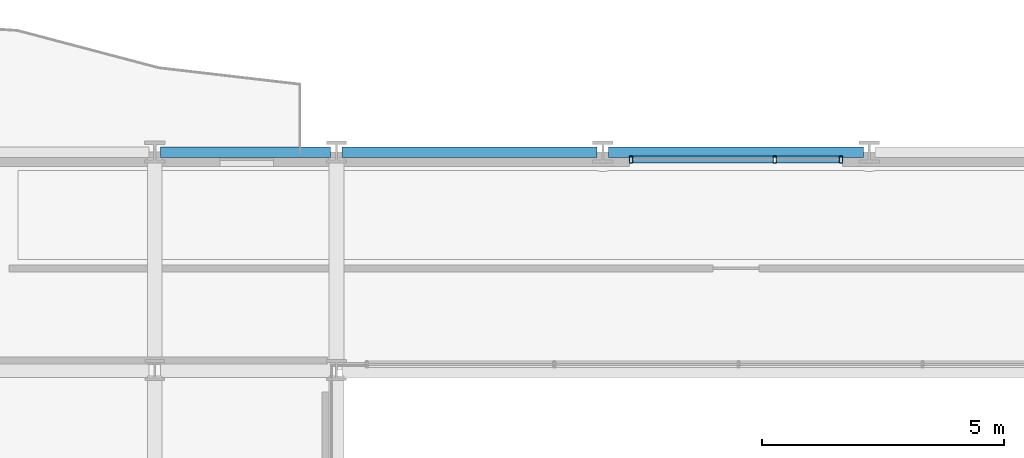
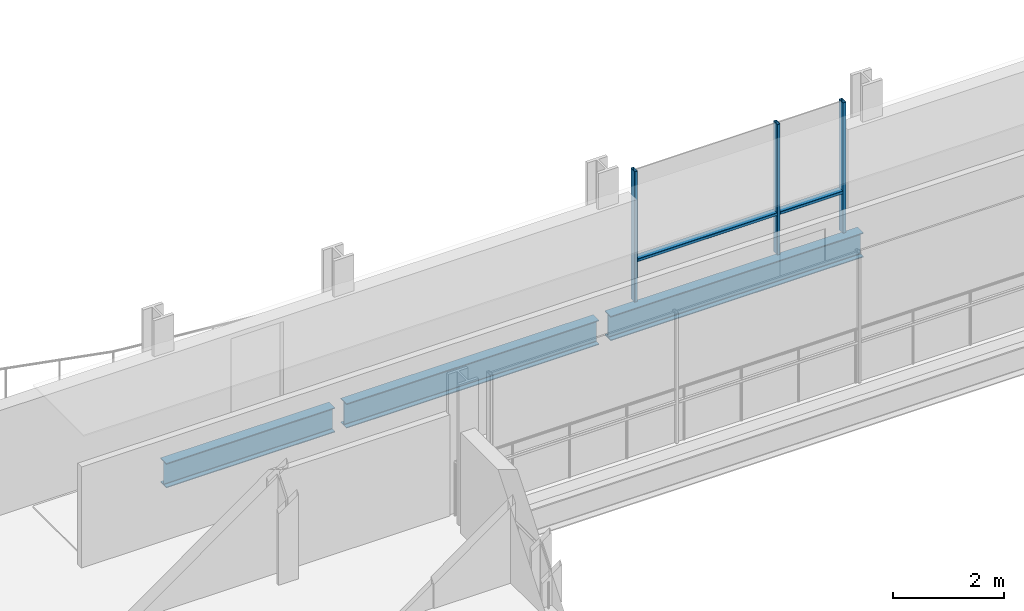
# One storey, part 22 of 40: 5 members, 3 beams, 1 element without a shape of its own.
"""IFC4 building model written with IfcOpenShell, lengths in metres."""

from ifc_helpers import new_model, si_unit, direction, frame, origin, origin_2d, place, context, subcontext, project, spatial, hollow_rectangle, i_section, extrude, material, layer, layer_set, material_profile, profile_set, type_object, element, aggregate, save


model = new_model("IFC4")

# Units and contexts
model_context = context("Model", 3, precision=1e-05, world=origin(), true_north=direction((0.0, 1.0)))
body_context = subcontext(model_context, "Body", "Model", "MODEL_VIEW")
ifc_project = project(units=[si_unit("LENGTHUNIT", "METRE"), si_unit("AREAUNIT", "SQUARE_METRE"), si_unit("VOLUMEUNIT", "CUBIC_METRE"), si_unit("PLANEANGLEUNIT", "RADIAN"), si_unit("MASSUNIT", "GRAM", prefix="KILO")], contexts=[model_context])

# Site, building, storey
site_placement = place(None, origin())
site = spatial("IfcSite", under=ifc_project, at=site_placement, CompositionType="ELEMENT")
building_placement = place(site_placement, origin())
building = spatial("IfcBuilding", under=site, at=building_placement, Name="Brevholm Reach", CompositionType="ELEMENT")
storey_placement = place(building_placement, frame((0.0, 0.0, 62.10009765625)))
storey = spatial("IfcBuildingStorey", under=building, at=storey_placement, Name="L17", CompositionType="ELEMENT", Elevation=62.10009765625)

# Beams
ifc_material_1 = material(Name="Structural Steel S355J2", Category="steel")
ifc_material_profile_1 = material_profile(ifc_material_1, i_section(OverallWidth=0.210693359375, OverallDepth=0.53955078125, WebThickness=0.01171875, FlangeThickness=0.018798828125, FilletRadius=0.0126953125, at=origin_2d()), Name="UKB 533x210x109")
ifc_profile_set_1 = profile_set([ifc_material_profile_1], Name="Structural Steel S355J2")
beam_type = type_object("IfcBeamType", Name="BM-SP539", PredefinedType="SPANDREL", material=ifc_profile_set_1)
beam_placement = place(storey_placement, frame((18.1201171875, 31.0, -0.499755859375), z_axis=(1.0, 0.0, 0.0), x_axis=(0.0, 1.0, 0.0)))
element("IfcBeam", 1, at=beam_placement, inside=storey, type_object=beam_type, Name="L17 SP-01B Framing Beam", PredefinedType="SPANDREL", context=body_context, shape_type="SweptSolid", body=[
    extrude(i_section(OverallWidth=0.210693359375, OverallDepth=0.53955078125, WebThickness=0.01171875, FlangeThickness=0.018798828125, FilletRadius=0.0126953125, at=origin_2d()), origin(), (0.0, 0.0, 1.0), 3.509765625),
])
for number, where, z_axis, x_axis, name in (
    (2, (21.8701171875, 31.0, -0.499755859375), (1.0, 0.0, 0.0), (0.0, 1.0, 0.0), "L17 SP-01B Framing Beam"),
    (3, (27.3701171875, 31.0, -0.499755859375), (1.0, 0.0, 0.0), (0.0, 1.0, 0.0), "L17 SP-01B Framing Beam"),
):
    element("IfcBeam", number, at=place(storey_placement, frame(where, z_axis=z_axis, x_axis=x_axis)), inside=storey, type_object=beam_type, Name=name, PredefinedType="SPANDREL", context=body_context, shape_type="SweptSolid", body=[
        extrude(i_section(OverallWidth=0.210693359375, OverallDepth=0.53955078125, WebThickness=0.01171875, FlangeThickness=0.018798828125, FilletRadius=0.0126953125, at=origin_2d()), origin(), (0.0, 0.0, 1.0), 5.259765625),
    ])

# Curtain wall, members
ifc_material_2 = material(Name="Dark Anodised Aluminium 6063-T6 and Solar-Control Glass", Category="aluminium")
ifc_layer = layer(ifc_material_2, 0.14990234375)
ifc_layer_set = layer_set([ifc_layer], Name="Dark Anodised Aluminium 6063-T6 and Solar-Control Glass")
curtain_wall_type = type_object("IfcCurtainWallType", Name="CW-01", PredefinedType="NOTDEFINED", material=ifc_layer_set)
curtain_wall_placement = place(storey_placement, origin())
curtain_wall = element("IfcCurtainWall", 4, at=curtain_wall_placement, inside=storey, type_object=curtain_wall_type, Name="L17 Curtain Wall CW-01", PredefinedType="NOTDEFINED")
ifc_material_3 = material(Name="Dark Anodised Aluminium 6063-T6", Category="aluminium")
ifc_material_profile_2 = material_profile(ifc_material_3, hollow_rectangle(XDim=0.06494140625, YDim=0.14990234375, WallThickness=0.0048828125, InnerFilletRadius=0.0048828125, OuterFilletRadius=0.010009765625, at=origin_2d()), Name="RHS 150x65x5")
ifc_profile_set_2 = profile_set([ifc_material_profile_2], Name="Dark Anodised Aluminium 6063-T6")
member_type_1 = type_object("IfcMemberType", Name="CWM-150", PredefinedType="MULLION", material=ifc_profile_set_2)
member_1_placement = place(storey_placement, frame((27.83251953125, 30.85009765625, 0.0), z_axis=(0.0, 0.0, 1.0), x_axis=(1.0, 0.0, 0.0)))
member_1 = element("IfcMember", 5, at=member_1_placement, type_object=member_type_1, Name="CM-150 Mullion 1", PredefinedType="MULLION", context=body_context, shape_type="SweptSolid", body=[
    extrude(hollow_rectangle(XDim=0.06494140625, YDim=0.14990234375, WallThickness=0.0048828125, InnerFilletRadius=0.0048828125, OuterFilletRadius=0.010009765625, at=origin_2d()), origin(), (0.0, 0.0, 1.0), 2.869873046875),
])
member_2_placement = place(storey_placement, frame((30.800048828125, 30.85009765625, 0.0), z_axis=(0.0, 0.0, 1.0), x_axis=(1.0, 0.0, 0.0)))
member_2 = element("IfcMember", 6, at=member_2_placement, type_object=member_type_1, Name="CM-150 Mullion 2", PredefinedType="MULLION", context=body_context, shape_type="SweptSolid", body=[
    extrude(hollow_rectangle(XDim=0.06494140625, YDim=0.14990234375, WallThickness=0.0048828125, InnerFilletRadius=0.0048828125, OuterFilletRadius=0.010009765625, at=origin_2d()), origin(), (0.0, 0.0, 1.0), 2.869873046875),
])
member_3_placement = place(storey_placement, frame((32.16748046875, 30.85009765625, 0.0), z_axis=(0.0, 0.0, 1.0), x_axis=(1.0, 0.0, 0.0)))
member_3 = element("IfcMember", 7, at=member_3_placement, type_object=member_type_1, Name="CM-150 Mullion 3", PredefinedType="MULLION", context=body_context, shape_type="SweptSolid", body=[
    extrude(hollow_rectangle(XDim=0.06494140625, YDim=0.14990234375, WallThickness=0.0048828125, InnerFilletRadius=0.0048828125, OuterFilletRadius=0.010009765625, at=origin_2d()), origin(), (0.0, 0.0, 1.0), 2.869873046875),
])
ifc_material_4 = material(Name="Dark Anodised Aluminium 6063-T6", Category="aluminium")
ifc_material_profile_3 = material_profile(ifc_material_4, hollow_rectangle(XDim=0.06494140625, YDim=0.14990234375, WallThickness=0.0048828125, InnerFilletRadius=0.0048828125, OuterFilletRadius=0.010009765625, at=origin_2d()), Name="RHS 150x65x5")
ifc_profile_set_3 = profile_set([ifc_material_profile_3], Name="Dark Anodised Aluminium 6063-T6")
member_type_2 = type_object("IfcMemberType", Name="CWT-150", PredefinedType="NOTDEFINED", material=ifc_profile_set_3)
member_4_placement = place(storey_placement, frame((27.864990234375, 30.85009765625, 0.89990234375), z_axis=(1.0, 0.0, 0.0), x_axis=(0.0, 0.0, 1.0)))
member_4 = element("IfcMember", 8, at=member_4_placement, type_object=member_type_2, Name="CT-150 Transom 1.1", ObjectType="TRANSOM", PredefinedType="USERDEFINED", context=body_context, shape_type="SweptSolid", body=[
    extrude(hollow_rectangle(XDim=0.06494140625, YDim=0.14990234375, WallThickness=0.0048828125, InnerFilletRadius=0.0048828125, OuterFilletRadius=0.010009765625, at=origin_2d()), origin(), (0.0, 0.0, 1.0), 2.902587890625),
])
member_5_placement = place(storey_placement, frame((30.83251953125, 30.85009765625, 0.89990234375), z_axis=(1.0, 0.0, 0.0), x_axis=(0.0, 0.0, 1.0)))
member_5 = element("IfcMember", 9, at=member_5_placement, type_object=member_type_2, Name="CT-150 Transom 2.1", ObjectType="TRANSOM", PredefinedType="USERDEFINED", context=body_context, shape_type="SweptSolid", body=[
    extrude(hollow_rectangle(XDim=0.06494140625, YDim=0.14990234375, WallThickness=0.0048828125, InnerFilletRadius=0.0048828125, OuterFilletRadius=0.010009765625, at=origin_2d()), origin(), (0.0, 0.0, 1.0), 1.302490234375),
])
aggregate(curtain_wall, [member_1, member_2, member_3, member_4, member_5])

save(model, "model.ifc")
